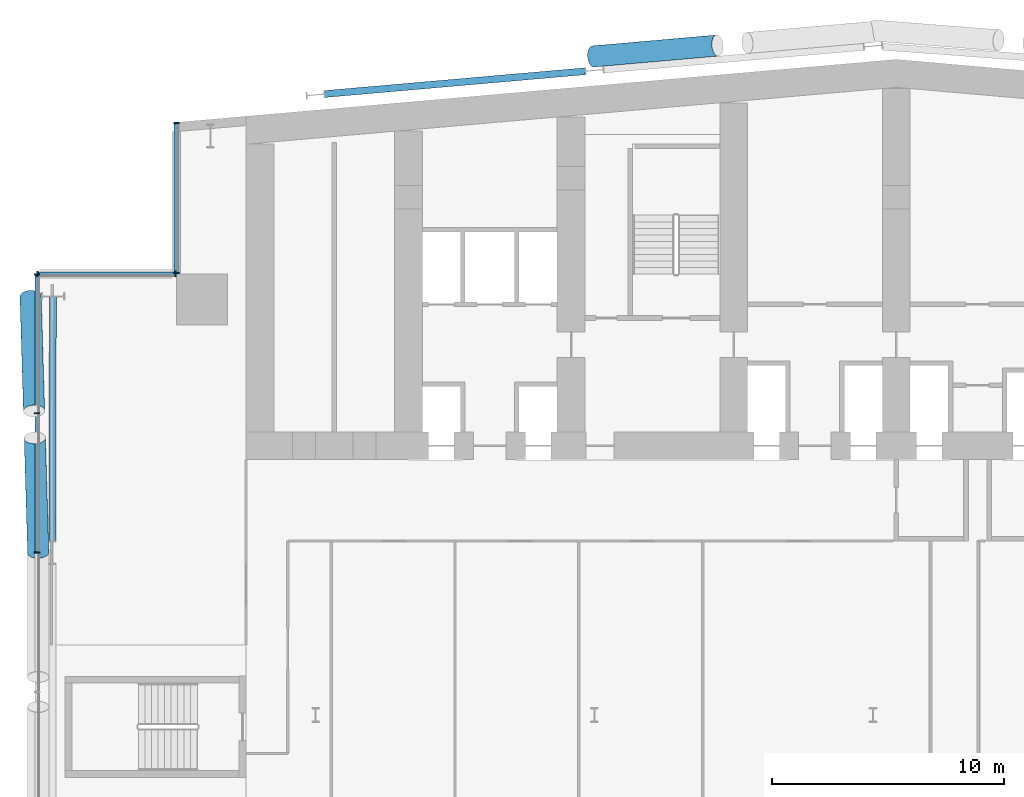
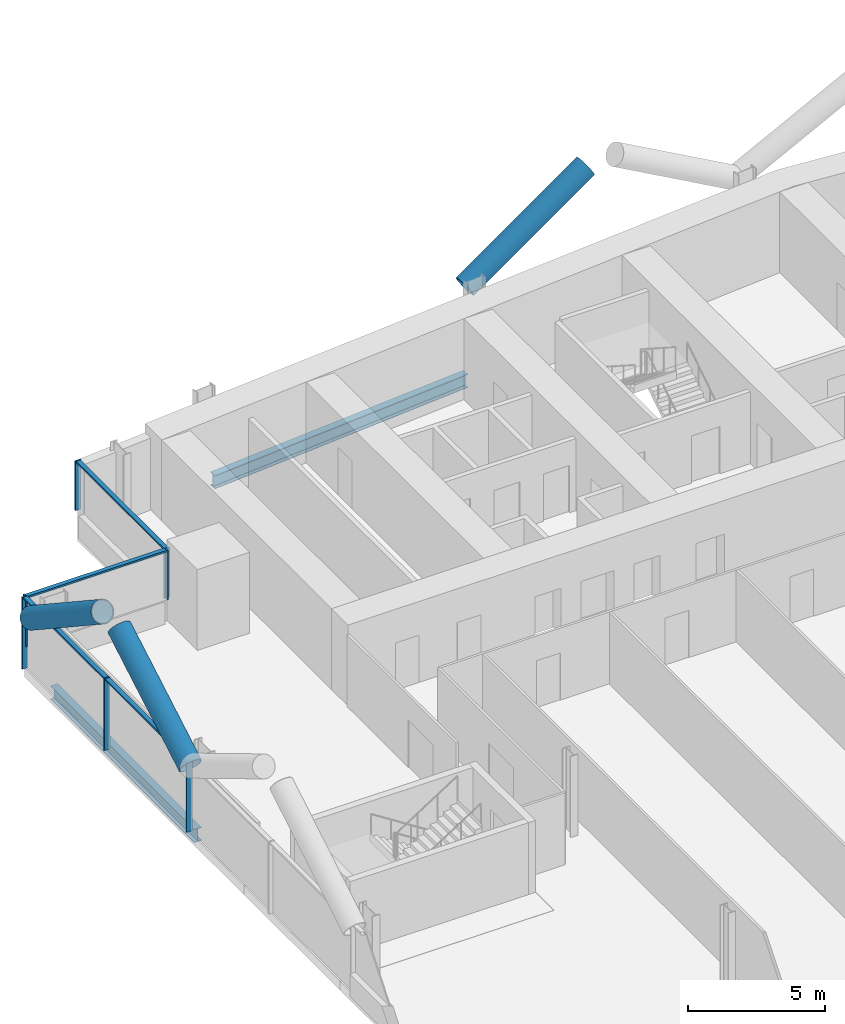
# One storey, part 7 of 24: 14 members, 2 beams, 3 elements without a shape of their own.
"""IFC4 building model written with IfcOpenShell, lengths in metres."""

import ifcopenshell
import ifcopenshell.guid

model = None  # the IFC model being written
_history = None  # IfcOwnerHistory: only IFC2X3 demands one
_inside = {}  # id of a spatial element -> (the spatial element, [elements in it])
_under = {}  # id of a project, library or spatial element -> (it, [spatial elements below it])
_declared = {}  # id of a project -> (the project, [libraries it declares])
_typed = {}  # id of a type object -> (the type object, [elements of that type])
_made_of = {}  # id of a material, layer set ... -> (it, [elements and type objects made of it])


def new_model(schema):
    """Start an empty IFC model of exactly this schema.

    Asked for "IFC4X3", IfcOpenShell would pick the latest addendum, in which some entities
    have other attributes; the version numbers below select the first issue.
    IFC2X3 requires an IfcOwnerHistory on every rooted entity: one is made here for all.
    """
    global model, _history
    if schema == "IFC4X3":
        model = ifcopenshell.file(schema_version=(4, 3, 0, 0))
    else:
        model = ifcopenshell.file(schema=schema)
    _inside.clear()
    _under.clear()
    _declared.clear()
    _typed.clear()
    _made_of.clear()
    _history = None
    if model.schema == "IFC2X3":
        org = make("IfcOrganization", Name="unknown")
        user = make(
            "IfcPersonAndOrganization",
            ThePerson=make("IfcPerson", FamilyName="unknown"),
            TheOrganization=org,
        )
        app = make(
            "IfcApplication",
            ApplicationDeveloper=org,
            Version="unknown",
            ApplicationFullName="unknown",
            ApplicationIdentifier="unknown",
        )
        _history = make(
            "IfcOwnerHistory",
            OwningUser=user,
            OwningApplication=app,
            ChangeAction="ADDED",
            CreationDate=0,
        )
    return model


def make(cls, **values):
    """One entity of the class cls with the attributes given. An attribute that is None is left unset."""
    return model.create_entity(
        cls, **{name: value for name, value in values.items() if value is not None}
    )


def rooted(cls, **values):
    """An entity with a GlobalId (a new one), such as an element, a storey or a relation."""
    return make(cls, GlobalId=ifcopenshell.guid.new(), OwnerHistory=_history, **values)


def si_unit(unit_type, name, prefix=None):
    """IfcSIUnit, for example si_unit("LENGTHUNIT", "METRE", prefix="MILLI")."""
    return make("IfcSIUnit", UnitType=unit_type, Prefix=prefix, Name=name)


def assignment(units):
    """IfcUnitAssignment: the units of a project."""
    return None if units is None else make("IfcUnitAssignment", Units=units)


def point(xyz):
    """IfcCartesianPoint."""
    return None if xyz is None else make("IfcCartesianPoint", Coordinates=xyz)


def direction(xyz):
    """IfcDirection."""
    return None if xyz is None else make("IfcDirection", DirectionRatios=xyz)


def frame(location, z_axis=None, x_axis=None):
    """IfcAxis2Placement3D, a coordinate frame: its origin and axes. An axis left out is left unset."""
    return make(
        "IfcAxis2Placement3D",
        Location=point(location),
        Axis=direction(z_axis),
        RefDirection=direction(x_axis),
    )


def frame_2d(location, x_axis=None):
    """IfcAxis2Placement2D, a coordinate frame in the plane: its origin and x axis."""
    return make(
        "IfcAxis2Placement2D", Location=point(location), RefDirection=direction(x_axis)
    )


def origin():
    """The frame at (0, 0, 0) with its axes left unset."""
    return frame((0.0, 0.0, 0.0))


def origin_2d():
    """The frame at (0, 0) in the plane with its x axis left unset."""
    return frame_2d((0.0, 0.0))


def place(relative_to, where):
    """IfcLocalPlacement: puts the frame where relative to a parent placement (None: the world)."""
    return make(
        "IfcLocalPlacement", PlacementRelTo=relative_to, RelativePlacement=where
    )


def context(
    kind, dimensions, precision=None, world=None, true_north=None, identifier=None
):
    """IfcGeometricRepresentationContext, for example the 3D "Model" context."""
    return make(
        "IfcGeometricRepresentationContext",
        ContextIdentifier=identifier,
        ContextType=kind,
        CoordinateSpaceDimension=dimensions,
        Precision=precision,
        WorldCoordinateSystem=world,
        TrueNorth=true_north,
    )


def subcontext(parent, identifier, kind, view, scale=None):
    """IfcGeometricRepresentationSubContext, for example "Body" below "Model"."""
    return make(
        "IfcGeometricRepresentationSubContext",
        ContextIdentifier=identifier,
        ContextType=kind,
        ParentContext=parent,
        TargetScale=scale,
        TargetView=view,
    )


def project(units=None, contexts=None):
    """IfcProject with its units and contexts."""
    return rooted(
        "IfcProject",
        Name="project",
        RepresentationContexts=contexts,
        UnitsInContext=assignment(units),
    )


def spatial(cls, under=None, at=None, **own):
    """A site, building, storey or space (cls), placed at a placement, below another one or the project."""
    s = rooted(cls, ObjectPlacement=at, **own)
    if under is not None:
        _under.setdefault(under.id(), (under, []))[1].append(s)
    return s


def profile(cls, at=None, kind="AREA", **sizes):
    """A parametric profile (cls). Its sizes go by their IFC names, for example OverallWidth=200.0."""
    return make(cls, ProfileType=kind, Position=at, **sizes)


def rectangle(**sizes):
    """IfcRectangleProfileDef."""
    return profile("IfcRectangleProfileDef", **sizes)


def hollow_circle(**sizes):
    """IfcCircleHollowProfileDef."""
    return profile("IfcCircleHollowProfileDef", **sizes)


def i_section(**sizes):
    """IfcIShapeProfileDef."""
    return profile("IfcIShapeProfileDef", **sizes)


def extrude(swept, where, along, depth):
    """IfcExtrudedAreaSolid: the profile swept, set in the frame where, extruded along a direction by depth."""
    return make(
        "IfcExtrudedAreaSolid",
        SweptArea=swept,
        Position=where,
        ExtrudedDirection=direction(along),
        Depth=depth,
    )


def shape(context_of_items, identifier, shape_type, items):
    """IfcShapeRepresentation: the items that make up one representation, for example the "Body"."""
    return make(
        "IfcShapeRepresentation",
        ContextOfItems=context_of_items,
        RepresentationIdentifier=identifier,
        RepresentationType=shape_type,
        Items=items,
    )


def material(Name=None, Category=None):
    """IfcMaterial."""
    return make("IfcMaterial", Name=Name, Category=Category)


def material_profile(
    of_material, cross_section, Name=None, Category=None, Priority=None
):
    """IfcMaterialProfile: a cross section and its material."""
    return make(
        "IfcMaterialProfile",
        Name=Name,
        Material=of_material,
        Profile=cross_section,
        Priority=Priority,
        Category=Category,
    )


def profile_set(profiles, Name=None, composite=None):
    """IfcMaterialProfileSet."""
    return make(
        "IfcMaterialProfileSet",
        Name=Name,
        MaterialProfiles=profiles,
        CompositeProfile=composite,
    )


def made_of(thing, what):
    """Note that an element or type object is made of a material, layer set ...; save() writes the relation."""
    if what is not None:
        _made_of.setdefault(what.id(), (what, []))[1].append(thing)
    return thing


def type_object(cls, material=None, **own):
    """A type object (cls), such as IfcWallType, which elements share."""
    return made_of(rooted(cls, **own), material)


def element(
    cls,
    number,
    at=None,
    inside=None,
    cuts=None,
    type_object=None,
    material=None,
    context=None,
    identifier="Body",
    shape_type=None,
    held_by="IfcProductDefinitionShape",
    body=None,
    shapes=None,
    **own,
):
    """One element of the class cls, such as IfcWall. Its Tag is "e" and its number.

    at: its placement. inside: the storey or other place that contains it. cuts: it is an
    opening in that element (IfcRelVoidsElement). A single representation is given by context,
    identifier, shape_type and body (its items); several are given by shapes. held_by: the class
    of the entity that holds the representations. save() writes the other relations.
    """
    e = rooted(cls, Tag="e%d" % number, ObjectPlacement=at, **own)
    if body is not None:
        shapes = [shape(context, identifier, shape_type, body)]
    if shapes is not None:
        e.Representation = make(held_by, Representations=shapes)
    if inside is not None:
        _inside.setdefault(inside.id(), (inside, []))[1].append(e)
    if cuts is not None:
        rooted(
            "IfcRelVoidsElement", RelatingBuildingElement=cuts, RelatedOpeningElement=e
        )
    if type_object is not None:
        _typed.setdefault(type_object.id(), (type_object, []))[1].append(e)
    return made_of(e, material)


def aggregate(whole, parts):
    """IfcRelAggregates: a whole, such as a stair, and the parts it consists of."""
    return rooted("IfcRelAggregates", RelatingObject=whole, RelatedObjects=parts)


def save(model, path):
    """Write the relations noted so far, then the file.

    IfcRelAggregates (storeys below a building ...), IfcRelContainedInSpatialStructure (elements
    in a storey), IfcRelDefinesByType, IfcRelAssociatesMaterial and IfcRelDeclares: one each for
    every whole, place, type object, material and project.
    """
    for whole, parts in _under.values():
        aggregate(whole, parts)
    for where, things in _inside.values():
        rooted(
            "IfcRelContainedInSpatialStructure",
            RelatedElements=things,
            RelatingStructure=where,
        )
    for kind, things in _typed.values():
        rooted("IfcRelDefinesByType", RelatedObjects=things, RelatingType=kind)
    for what, things in _made_of.values():
        rooted("IfcRelAssociatesMaterial", RelatedObjects=things, RelatingMaterial=what)
    for by, libraries in _declared.values():
        rooted("IfcRelDeclares", RelatingContext=by, RelatedDefinitions=libraries)
    model.write(path)


model = new_model("IFC4")

# Units and contexts
model_context = context("Model", 3, precision=1e-05, world=origin(), true_north=direction((0.0, 1.0)))
body_context = subcontext(model_context, "Body", "Model", "MODEL_VIEW")
ifc_project = project(units=[si_unit("LENGTHUNIT", "METRE"), si_unit("AREAUNIT", "SQUARE_METRE"), si_unit("VOLUMEUNIT", "CUBIC_METRE"), si_unit("PLANEANGLEUNIT", "RADIAN"), si_unit("MASSUNIT", "GRAM", prefix="KILO")], contexts=[model_context])

# Site, building, storey
site_placement = place(None, origin())
site = spatial("IfcSite", under=ifc_project, at=site_placement, CompositionType="ELEMENT")
building_placement = place(site_placement, origin())
building = spatial("IfcBuilding", under=site, at=building_placement, Name="Wharfspan Tower", CompositionType="ELEMENT")
storey_placement = place(building_placement, frame((0.0, 0.0, 66.699951)))
storey = spatial("IfcBuildingStorey", under=building, at=storey_placement, Name="L13", CompositionType="ELEMENT", Elevation=66.699951)

# Beams
ifc_material_1 = material(Name="Steel S355J2", Category="steel")
ifc_material_profile_1 = material_profile(ifc_material_1, i_section(OverallWidth=0.300049, OverallDepth=0.600098, WebThickness=0.015381, FlangeThickness=0.030029, FilletRadius=0.0271, at=origin_2d()))
ifc_profile_set_1 = profile_set([ifc_material_profile_1], Name="Steel S355J2")
beam_type = type_object("IfcBeamType", Name="Edge beam HEB 600", PredefinedType="SPANDREL", material=ifc_profile_set_1)
beam_1_placement = place(storey_placement, frame((23.598633, 50.724609, -0.699951), z_axis=(-0.996194, -0.087165, 0.0), x_axis=(0.087165, -0.996194, 0.0)))
element("IfcBeam", 1, at=beam_1_placement, inside=storey, type_object=beam_type, Name="Edge beam N1 L13 R.2 to R.1", PredefinedType="SPANDREL", context=body_context, shape_type="SweptSolid", body=[
    extrude(i_section(OverallWidth=0.300049, OverallDepth=0.600098, WebThickness=0.015381, FlangeThickness=0.030029, FilletRadius=0.0271, at=origin_2d()), origin(), (0.0, 0.0, 1.0), 11.23999),
])
beam_2_placement = place(storey_placement, frame((0.684814, 41.027832, -0.699951), z_axis=(-0.002249, -0.999997, 0.0), x_axis=(0.999997, -0.002249, 0.0)))
element("IfcBeam", 2, at=beam_2_placement, inside=storey, type_object=beam_type, Name="Edge beam W L13 PNRW-H.1 to PW.1", PredefinedType="SPANDREL", context=body_context, shape_type="SweptSolid", body=[
    extrude(i_section(OverallWidth=0.300049, OverallDepth=0.600098, WebThickness=0.015381, FlangeThickness=0.030029, FilletRadius=0.0271, at=origin_2d()), origin(), (0.0, 0.0, 1.0), 10.527832),
])

# Curtain wall, members
ifc_material_2 = material(Name="Aluminium 6063-T6", Category="aluminium")
curtain_wall_type = type_object("IfcCurtainWallType", Name="CURTAIN WALL PROW AND END", PredefinedType="NOTDEFINED", material=ifc_material_2)
curtain_wall_1_placement = place(storey_placement, origin())
curtain_wall_1 = element("IfcCurtainWall", 3, at=curtain_wall_1_placement, inside=storey, type_object=curtain_wall_type, Name="Curtain wall NRW-V", PredefinedType="NOTDEFINED")
ifc_material_profile_2 = material_profile(ifc_material_2, rectangle(XDim=0.23999, YDim=0.060059, at=origin_2d()))
ifc_profile_set_2 = profile_set([ifc_material_profile_2], Name="Aluminium 6063-T6")
member_type_1 = type_object("IfcMemberType", Name="MULLION PROW AND END 60x240", PredefinedType="MULLION", material=ifc_profile_set_2)
member_1_placement = place(storey_placement, frame((6.0, 48.494873, 1.0), z_axis=(0.0, 0.0, 1.0), x_axis=(1.0, 0.0, 0.0)))
member_1 = element("IfcMember", 4, at=member_1_placement, type_object=member_type_1, Name="Curtain wall NRW-V mullion 1", PredefinedType="MULLION", context=body_context, shape_type="SweptSolid", body=[
    extrude(rectangle(XDim=0.23999, YDim=0.060059, at=origin_2d()), origin(), (0.0, 0.0, 1.0), 2.199951),
])
member_2_placement = place(storey_placement, frame((6.0, 42.030029, 1.0), z_axis=(0.0, 0.0, 1.0), x_axis=(1.0, 0.0, 0.0)))
member_2 = element("IfcMember", 5, at=member_2_placement, type_object=member_type_1, Name="Curtain wall NRW-V mullion 2", PredefinedType="MULLION", context=body_context, shape_type="SweptSolid", body=[
    extrude(rectangle(XDim=0.23999, YDim=0.060059, at=origin_2d()), origin(), (0.0, 0.0, 1.0), 2.199951),
])

curtain_wall_2_placement = place(storey_placement, origin())
curtain_wall_2 = element("IfcCurtainWall", 6, at=curtain_wall_2_placement, inside=storey, type_object=curtain_wall_type, Name="Curtain wall NRW-H", PredefinedType="NOTDEFINED")
member_3_placement = place(storey_placement, frame((5.969971, 42.0, 1.0), z_axis=(0.0, 0.0, 1.0), x_axis=(0.0, -1.0, 0.0)))
member_3 = element("IfcMember", 7, at=member_3_placement, type_object=member_type_1, Name="Curtain wall NRW-H mullion 1", PredefinedType="MULLION", context=body_context, shape_type="SweptSolid", body=[
    extrude(rectangle(XDim=0.23999, YDim=0.060059, at=origin_2d()), origin(), (0.0, 0.0, 1.0), 2.199951),
])
member_4_placement = place(storey_placement, frame((0.030029, 42.0, 1.0), z_axis=(0.0, 0.0, 1.0), x_axis=(0.0, -1.0, 0.0)))
member_4 = element("IfcMember", 8, at=member_4_placement, type_object=member_type_1, Name="Curtain wall NRW-H mullion 2", PredefinedType="MULLION", context=body_context, shape_type="SweptSolid", body=[
    extrude(rectangle(XDim=0.23999, YDim=0.060059, at=origin_2d()), origin(), (0.0, 0.0, 1.0), 2.199951),
])

curtain_wall_3_placement = place(storey_placement, origin())
curtain_wall_3 = element("IfcCurtainWall", 9, at=curtain_wall_3_placement, inside=storey, type_object=curtain_wall_type, Name="Curtain wall W", PredefinedType="NOTDEFINED")
member_5_placement = place(storey_placement, frame((0.0, 41.969971, 0.0), z_axis=(0.0, 0.0, 1.0), x_axis=(1.0, 0.0, 0.0)))
member_5 = element("IfcMember", 10, at=member_5_placement, type_object=member_type_1, Name="Curtain wall W mullion 1", PredefinedType="MULLION", context=body_context, shape_type="SweptSolid", body=[
    extrude(rectangle(XDim=0.23999, YDim=0.060059, at=origin_2d()), origin(), (0.0, 0.0, 1.0), 3.199951),
])
member_6_placement = place(storey_placement, frame((0.0, 36.0, 0.0), z_axis=(0.0, 0.0, 1.0), x_axis=(1.0, 0.0, 0.0)))
member_6 = element("IfcMember", 11, at=member_6_placement, type_object=member_type_1, Name="Curtain wall W mullion 2", PredefinedType="MULLION", context=body_context, shape_type="SweptSolid", body=[
    extrude(rectangle(XDim=0.23999, YDim=0.060059, at=origin_2d()), origin(), (0.0, 0.0, 1.0), 3.199951),
])
member_7_placement = place(storey_placement, frame((0.0, 30.0, 0.0), z_axis=(0.0, 0.0, 1.0), x_axis=(1.0, 0.0, 0.0)))
member_7 = element("IfcMember", 12, at=member_7_placement, type_object=member_type_1, Name="Curtain wall W mullion 3", PredefinedType="MULLION", context=body_context, shape_type="SweptSolid", body=[
    extrude(rectangle(XDim=0.23999, YDim=0.060059, at=origin_2d()), origin(), (0.0, 0.0, 1.0), 3.199951),
])

# Members
ifc_material_3 = material(Name="Steel S460NH", Category="steel")
ifc_material_profile_3 = material_profile(ifc_material_3, hollow_circle(Radius=0.457031, WallThickness=0.040039, at=origin_2d()))
ifc_profile_set_3 = profile_set([ifc_material_profile_3], Name="Steel S460NH")
member_type_2 = type_object("IfcMemberType", Name="Mega brace CHS 914x40", PredefinedType="BRACE", material=ifc_profile_set_3)
for number, where, z_axis, x_axis, name in (
    (13, (-0.273193, 41.03418, 2.900146), (0.0249, -0.837221, 0.546298), (0.999556, 0.02973, 3e-06), "Mega brace W4 L14 part 1"),
    (14, (0.054932, 30.0, 2.900146), (-0.0249, 0.837221, 0.546298), (-0.999556, -0.02973, 3e-06), "Mega brace W4 L14 part 3"),
):
    element("IfcMember", number, at=place(storey_placement, frame(where, z_axis=z_axis, x_axis=x_axis)), inside=storey, type_object=member_type_2, Name=name, PredefinedType="BRACE", context=body_context, shape_type="SweptSolid", body=[
        extrude(hollow_circle(Radius=0.457031, WallThickness=0.040039, at=origin_2d()), origin(), (0.0, 0.0, 1.0), 5.892822),
    ])
member_8_placement = place(storey_placement, frame((23.947266, 51.363037, 2.900146), z_axis=(0.855094, 0.074809, 0.513048), x_axis=(-0.087154, 0.996195, 1e-06)))
element("IfcMember", 15, at=member_8_placement, inside=storey, type_object=member_type_2, Name="Mega brace N7 L14 part 1", PredefinedType="BRACE", context=body_context, shape_type="SweptSolid", body=[
    extrude(hollow_circle(Radius=0.457031, WallThickness=0.040039, at=origin_2d()), origin(), (0.0, 0.0, 1.0), 6.256104),
])

# Member
ifc_material_profile_4 = material_profile(ifc_material_2, rectangle(XDim=0.179932, YDim=0.080078, at=origin_2d()))
ifc_profile_set_4 = profile_set([ifc_material_profile_4], Name="Aluminium 6063-T6")
member_type_3 = type_object("IfcMemberType", Name="TRANSOM PROW AND END 80x180", PredefinedType="USERDEFINED", material=ifc_profile_set_4)
member_9_placement = place(storey_placement, frame((6.0, 48.464844, 3.160156), z_axis=(0.0, -1.0, 0.0), x_axis=(1.0, 0.0, 0.0)))
member_9 = element("IfcMember", 16, at=member_9_placement, type_object=member_type_3, Name="Curtain wall NRW-V transom 1", ObjectType="TRANSOM", PredefinedType="USERDEFINED", context=body_context, shape_type="SweptSolid", body=[
    extrude(rectangle(XDim=0.179932, YDim=0.080078, at=origin_2d()), origin(), (0.0, 0.0, 1.0), 6.404785),
])

aggregate(curtain_wall_1, [member_1, member_2, member_9])

member_10_placement = place(storey_placement, frame((5.939941, 42.0, 3.160156), z_axis=(-1.0, 0.0, 0.0), x_axis=(0.0, -1.0, 0.0)))
member_10 = element("IfcMember", 17, at=member_10_placement, type_object=member_type_3, Name="Curtain wall NRW-H transom 1", ObjectType="TRANSOM", PredefinedType="USERDEFINED", context=body_context, shape_type="SweptSolid", body=[
    extrude(rectangle(XDim=0.179932, YDim=0.080078, at=origin_2d()), origin(), (0.0, 0.0, 1.0), 5.879883),
])

aggregate(curtain_wall_2, [member_3, member_4, member_10])

member_11_placement = place(storey_placement, frame((0.0, 41.939941, 3.160156), z_axis=(0.0, -1.0, 0.0), x_axis=(1.0, 0.0, 0.0)))
member_11 = element("IfcMember", 18, at=member_11_placement, type_object=member_type_3, Name="Curtain wall W transom 1", ObjectType="TRANSOM", PredefinedType="USERDEFINED", context=body_context, shape_type="SweptSolid", body=[
    extrude(rectangle(XDim=0.179932, YDim=0.080078, at=origin_2d()), origin(), (0.0, 0.0, 1.0), 5.909912),
])

member_12_placement = place(storey_placement, frame((0.0, 35.969971, 3.160156), z_axis=(0.0, -1.0, 0.0), x_axis=(1.0, 0.0, 0.0)))
member_12 = element("IfcMember", 19, at=member_12_placement, type_object=member_type_3, Name="Curtain wall W transom 2", ObjectType="TRANSOM", PredefinedType="USERDEFINED", context=body_context, shape_type="SweptSolid", body=[
    extrude(rectangle(XDim=0.179932, YDim=0.080078, at=origin_2d()), origin(), (0.0, 0.0, 1.0), 5.939941),
])

aggregate(curtain_wall_3, [member_5, member_6, member_7, member_11, member_12])

save(model, "model.ifc")
